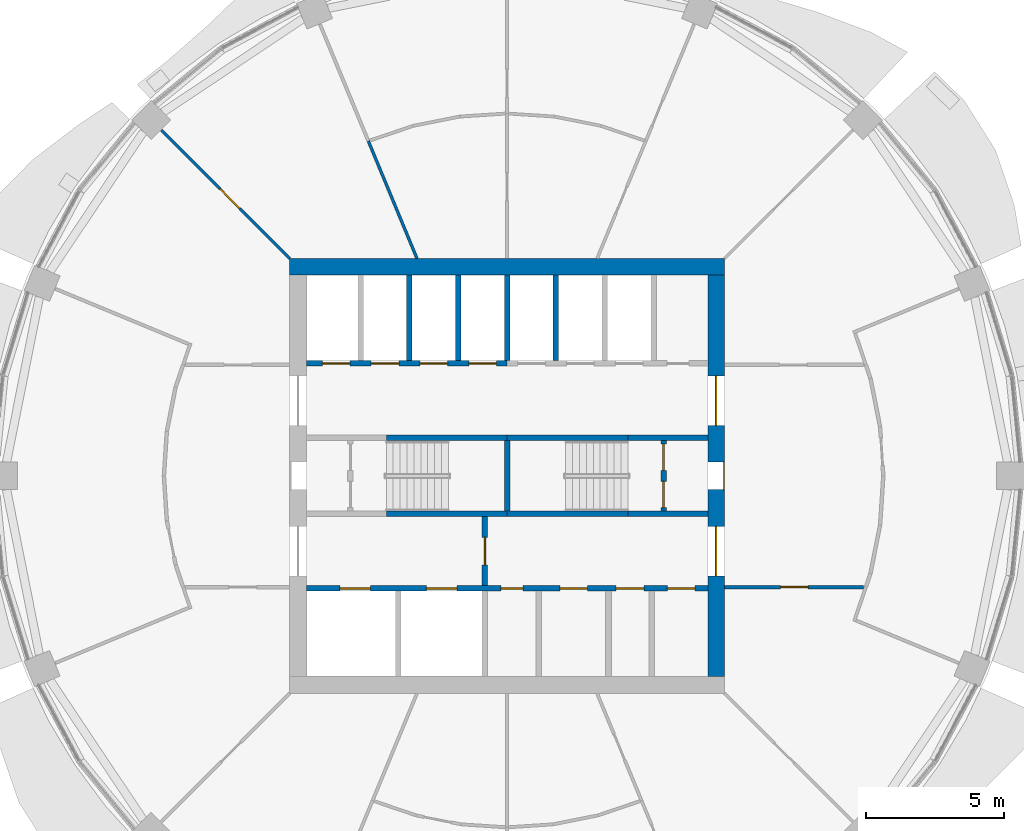
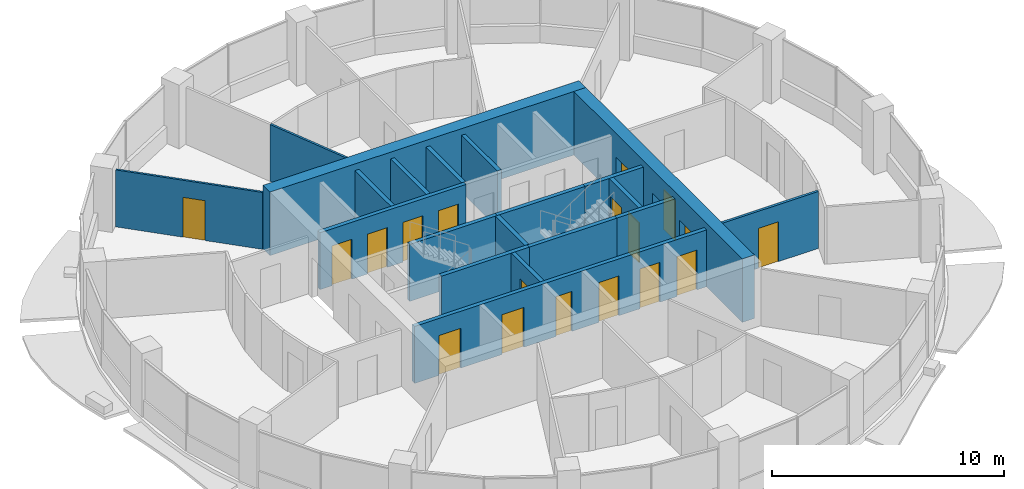
# One storey, part 9 of 15: 20 walls, 18 doors, 18 openings.
"""IFC4 building model written with IfcOpenShell, lengths in metres."""

import ifcopenshell
import ifcopenshell.guid

model = None  # the IFC model being written
_history = None  # IfcOwnerHistory: only IFC2X3 demands one
_inside = {}  # id of a spatial element -> (the spatial element, [elements in it])
_under = {}  # id of a project, library or spatial element -> (it, [spatial elements below it])
_declared = {}  # id of a project -> (the project, [libraries it declares])
_typed = {}  # id of a type object -> (the type object, [elements of that type])
_made_of = {}  # id of a material, layer set ... -> (it, [elements and type objects made of it])


def new_model(schema):
    """Start an empty IFC model of exactly this schema.

    Asked for "IFC4X3", IfcOpenShell would pick the latest addendum, in which some entities
    have other attributes; the version numbers below select the first issue.
    IFC2X3 requires an IfcOwnerHistory on every rooted entity: one is made here for all.
    """
    global model, _history
    if schema == "IFC4X3":
        model = ifcopenshell.file(schema_version=(4, 3, 0, 0))
    else:
        model = ifcopenshell.file(schema=schema)
    _inside.clear()
    _under.clear()
    _declared.clear()
    _typed.clear()
    _made_of.clear()
    _history = None
    if model.schema == "IFC2X3":
        org = make("IfcOrganization", Name="unknown")
        user = make(
            "IfcPersonAndOrganization",
            ThePerson=make("IfcPerson", FamilyName="unknown"),
            TheOrganization=org,
        )
        app = make(
            "IfcApplication",
            ApplicationDeveloper=org,
            Version="unknown",
            ApplicationFullName="unknown",
            ApplicationIdentifier="unknown",
        )
        _history = make(
            "IfcOwnerHistory",
            OwningUser=user,
            OwningApplication=app,
            ChangeAction="ADDED",
            CreationDate=0,
        )
    return model


def make(cls, **values):
    """One entity of the class cls with the attributes given. An attribute that is None is left unset."""
    return model.create_entity(
        cls, **{name: value for name, value in values.items() if value is not None}
    )


def rooted(cls, **values):
    """An entity with a GlobalId (a new one), such as an element, a storey or a relation."""
    return make(cls, GlobalId=ifcopenshell.guid.new(), OwnerHistory=_history, **values)


def si_unit(unit_type, name, prefix=None):
    """IfcSIUnit, for example si_unit("LENGTHUNIT", "METRE", prefix="MILLI")."""
    return make("IfcSIUnit", UnitType=unit_type, Prefix=prefix, Name=name)


def assignment(units):
    """IfcUnitAssignment: the units of a project."""
    return None if units is None else make("IfcUnitAssignment", Units=units)


def point(xyz):
    """IfcCartesianPoint."""
    return None if xyz is None else make("IfcCartesianPoint", Coordinates=xyz)


def direction(xyz):
    """IfcDirection."""
    return None if xyz is None else make("IfcDirection", DirectionRatios=xyz)


def frame(location, z_axis=None, x_axis=None):
    """IfcAxis2Placement3D, a coordinate frame: its origin and axes. An axis left out is left unset."""
    return make(
        "IfcAxis2Placement3D",
        Location=point(location),
        Axis=direction(z_axis),
        RefDirection=direction(x_axis),
    )


def frame_2d(location, x_axis=None):
    """IfcAxis2Placement2D, a coordinate frame in the plane: its origin and x axis."""
    return make(
        "IfcAxis2Placement2D", Location=point(location), RefDirection=direction(x_axis)
    )


def origin():
    """The frame at (0, 0, 0) with its axes left unset."""
    return frame((0.0, 0.0, 0.0))


def place(relative_to, where):
    """IfcLocalPlacement: puts the frame where relative to a parent placement (None: the world)."""
    return make(
        "IfcLocalPlacement", PlacementRelTo=relative_to, RelativePlacement=where
    )


def context(
    kind, dimensions, precision=None, world=None, true_north=None, identifier=None
):
    """IfcGeometricRepresentationContext, for example the 3D "Model" context."""
    return make(
        "IfcGeometricRepresentationContext",
        ContextIdentifier=identifier,
        ContextType=kind,
        CoordinateSpaceDimension=dimensions,
        Precision=precision,
        WorldCoordinateSystem=world,
        TrueNorth=true_north,
    )


def subcontext(parent, identifier, kind, view, scale=None):
    """IfcGeometricRepresentationSubContext, for example "Body" below "Model"."""
    return make(
        "IfcGeometricRepresentationSubContext",
        ContextIdentifier=identifier,
        ContextType=kind,
        ParentContext=parent,
        TargetScale=scale,
        TargetView=view,
    )


def project(units=None, contexts=None):
    """IfcProject with its units and contexts."""
    return rooted(
        "IfcProject",
        Name="project",
        RepresentationContexts=contexts,
        UnitsInContext=assignment(units),
    )


def spatial(cls, under=None, at=None, **own):
    """A site, building, storey or space (cls), placed at a placement, below another one or the project."""
    s = rooted(cls, ObjectPlacement=at, **own)
    if under is not None:
        _under.setdefault(under.id(), (under, []))[1].append(s)
    return s


def profile(cls, at=None, kind="AREA", **sizes):
    """A parametric profile (cls). Its sizes go by their IFC names, for example OverallWidth=200.0."""
    return make(cls, ProfileType=kind, Position=at, **sizes)


def rectangle(**sizes):
    """IfcRectangleProfileDef."""
    return profile("IfcRectangleProfileDef", **sizes)


def extrude(swept, where, along, depth):
    """IfcExtrudedAreaSolid: the profile swept, set in the frame where, extruded along a direction by depth."""
    return make(
        "IfcExtrudedAreaSolid",
        SweptArea=swept,
        Position=where,
        ExtrudedDirection=direction(along),
        Depth=depth,
    )


def shape(context_of_items, identifier, shape_type, items):
    """IfcShapeRepresentation: the items that make up one representation, for example the "Body"."""
    return make(
        "IfcShapeRepresentation",
        ContextOfItems=context_of_items,
        RepresentationIdentifier=identifier,
        RepresentationType=shape_type,
        Items=items,
    )


def material(Name=None, Category=None):
    """IfcMaterial."""
    return make("IfcMaterial", Name=Name, Category=Category)


def layer(
    of_material, thickness, ventilated=None, Name=None, Category=None, Priority=None
):
    """IfcMaterialLayer: one layer of a wall or slab, of a material (None: an air gap)."""
    return make(
        "IfcMaterialLayer",
        Material=of_material,
        LayerThickness=thickness,
        IsVentilated=ventilated,
        Name=Name,
        Category=Category,
        Priority=Priority,
    )


def layer_set(layers, Name=None):
    """IfcMaterialLayerSet."""
    return make("IfcMaterialLayerSet", MaterialLayers=layers, LayerSetName=Name)


def made_of(thing, what):
    """Note that an element or type object is made of a material, layer set ...; save() writes the relation."""
    if what is not None:
        _made_of.setdefault(what.id(), (what, []))[1].append(thing)
    return thing


def type_object(cls, material=None, **own):
    """A type object (cls), such as IfcWallType, which elements share."""
    return made_of(rooted(cls, **own), material)


def element(
    cls,
    number,
    at=None,
    inside=None,
    cuts=None,
    type_object=None,
    material=None,
    context=None,
    identifier="Body",
    shape_type=None,
    held_by="IfcProductDefinitionShape",
    body=None,
    shapes=None,
    **own,
):
    """One element of the class cls, such as IfcWall. Its Tag is "e" and its number.

    at: its placement. inside: the storey or other place that contains it. cuts: it is an
    opening in that element (IfcRelVoidsElement). A single representation is given by context,
    identifier, shape_type and body (its items); several are given by shapes. held_by: the class
    of the entity that holds the representations. save() writes the other relations.
    """
    e = rooted(cls, Tag="e%d" % number, ObjectPlacement=at, **own)
    if body is not None:
        shapes = [shape(context, identifier, shape_type, body)]
    if shapes is not None:
        e.Representation = make(held_by, Representations=shapes)
    if inside is not None:
        _inside.setdefault(inside.id(), (inside, []))[1].append(e)
    if cuts is not None:
        rooted(
            "IfcRelVoidsElement", RelatingBuildingElement=cuts, RelatedOpeningElement=e
        )
    if type_object is not None:
        _typed.setdefault(type_object.id(), (type_object, []))[1].append(e)
    return made_of(e, material)


def fill(opening, filler):
    """IfcRelFillsElement: the door or window that sits in an opening."""
    return rooted(
        "IfcRelFillsElement",
        RelatingOpeningElement=opening,
        RelatedBuildingElement=filler,
    )


def aggregate(whole, parts):
    """IfcRelAggregates: a whole, such as a stair, and the parts it consists of."""
    return rooted("IfcRelAggregates", RelatingObject=whole, RelatedObjects=parts)


def save(model, path):
    """Write the relations noted so far, then the file.

    IfcRelAggregates (storeys below a building ...), IfcRelContainedInSpatialStructure (elements
    in a storey), IfcRelDefinesByType, IfcRelAssociatesMaterial and IfcRelDeclares: one each for
    every whole, place, type object, material and project.
    """
    for whole, parts in _under.values():
        aggregate(whole, parts)
    for where, things in _inside.values():
        rooted(
            "IfcRelContainedInSpatialStructure",
            RelatedElements=things,
            RelatingStructure=where,
        )
    for kind, things in _typed.values():
        rooted("IfcRelDefinesByType", RelatedObjects=things, RelatingType=kind)
    for what, things in _made_of.values():
        rooted("IfcRelAssociatesMaterial", RelatedObjects=things, RelatingMaterial=what)
    for by, libraries in _declared.values():
        rooted("IfcRelDeclares", RelatingContext=by, RelatedDefinitions=libraries)
    model.write(path)


model = new_model("IFC4")

# Units and contexts
model_context = context("Model", 3, precision=1e-05, world=origin(), true_north=direction((0.0, 1.0)))
body_context = subcontext(model_context, "Body", "Model", "MODEL_VIEW")
ifc_project = project(units=[si_unit("LENGTHUNIT", "METRE"), si_unit("AREAUNIT", "SQUARE_METRE"), si_unit("VOLUMEUNIT", "CUBIC_METRE"), si_unit("PLANEANGLEUNIT", "RADIAN"), si_unit("MASSUNIT", "GRAM", prefix="KILO")], contexts=[model_context])

# Site, building, storey
site_placement = place(None, origin())
site = spatial("IfcSite", under=ifc_project, at=site_placement, CompositionType="ELEMENT")
building_placement = place(site_placement, origin())
building = spatial("IfcBuilding", under=site, at=building_placement, Name="Polderwave Tower", CompositionType="ELEMENT")
storey_placement = place(building_placement, frame((0.0, 0.0, 151.10009765625)))
storey = spatial("IfcBuildingStorey", under=building, at=storey_placement, Name="L40", CompositionType="ELEMENT", Elevation=151.10009765625)

# Wall
ifc_material_1 = material(Name="Concrete C60/75", Category="concrete")
ifc_layer_1 = layer(ifc_material_1, 0.60009765625)
ifc_layer_set_1 = layer_set([ifc_layer_1], Name="CORE WALL 600 C60/75")
wall_type_1 = type_object("IfcWallType", Name="CORE WALL 600 C60/75", PredefinedType="SHEAR", material=ifc_layer_set_1)
wall_1_placement = place(storey_placement, frame((-7.8740234375, 7.573974609375, 0.0), z_axis=(0.0, 0.0, 1.0), x_axis=(1.0, 0.0, 0.0)))
element("IfcWall", 1, at=wall_1_placement, inside=storey, type_object=wall_type_1, Name="ST-CORE-L40-N", PredefinedType="SHEAR", context=body_context, shape_type="SweptSolid", body=[
    extrude(rectangle(XDim=15.748046875, YDim=0.60009765625, at=frame_2d((7.8740234375, 0.0))), origin(), (0.0, 0.0, 1.0), 3.349853515625),
])

# Wall, openings, doors
wall_2_placement = place(storey_placement, frame((7.573974609375, -7.27392578125, 0.0), z_axis=(0.0, 0.0, 1.0), x_axis=(0.0, 1.0, 0.0)))
wall_2 = element("IfcWall", 2, at=wall_2_placement, inside=storey, type_object=wall_type_1, Name="ST-CORE-L40-E", PredefinedType="SHEAR", context=body_context, shape_type="SweptSolid", body=[
    extrude(rectangle(XDim=14.5478515625, YDim=0.60009765625, at=frame_2d((7.27392578125, 0.0))), origin(), (0.0, 0.0, 1.0), 3.349853515625),
])
opening_1_placement = place(wall_2_placement, frame((6.77392578125, 0.0, 0.0)))
opening_1 = element("IfcOpeningElement", 3, at=opening_1_placement, cuts=wall_2, Name="Opening L40-D23", PredefinedType="OPENING", context=body_context, shape_type="SweptSolid", body=[
    extrude(rectangle(XDim=1.0, YDim=2.10009765625, at=frame_2d((0.5, 1.050048828125))), frame((0.0, 0.31005859375, 0.0), z_axis=(0.0, -1.0, 0.0), x_axis=(1.0, 0.0, 0.0)), (0.0, 0.0, 1.0), 0.6201171875),
])
opening_2_placement = place(wall_2_placement, frame((3.6494140625, 0.0, 0.0)))
opening_2 = element("IfcOpeningElement", 4, at=opening_2_placement, cuts=wall_2, Name="Opening L40-D24", PredefinedType="OPENING", context=body_context, shape_type="SweptSolid", body=[
    extrude(rectangle(XDim=1.800048828125, YDim=2.10009765625, at=frame_2d((0.89990234375, 1.050048828125))), frame((0.0, 0.31005859375, 0.0), z_axis=(0.0, -1.0, 0.0), x_axis=(1.0, 0.0, 0.0)), (0.0, 0.0, 1.0), 0.6201171875),
])
opening_3_placement = place(wall_2_placement, frame((9.098388671875, 0.0, 0.0)))
opening_3 = element("IfcOpeningElement", 5, at=opening_3_placement, cuts=wall_2, Name="Opening L40-D25", PredefinedType="OPENING", context=body_context, shape_type="SweptSolid", body=[
    extrude(rectangle(XDim=1.800048828125, YDim=2.10009765625, at=frame_2d((0.89990234375, 1.050048828125))), frame((0.0, 0.31005859375, 0.0), z_axis=(0.0, -1.0, 0.0), x_axis=(1.0, 0.0, 0.0)), (0.0, 0.0, 1.0), 0.6201171875),
])
ifc_material_2 = material(Name="Steel fire door", Category="steel")
door_type_1 = type_object("IfcDoorType", Name="Lobby entry door pair 1800", OperationType="DOUBLE_DOOR_SINGLE_SWING", PredefinedType="DOOR", material=ifc_material_2)
door_1_placement = place(opening_2_placement, frame((1.800048828125, 0.0, 0.0), z_axis=(0.0, 0.0, 1.0), x_axis=(-1.0, 0.0, 0.0)))
door_1 = element("IfcDoor", 6, at=door_1_placement, inside=storey, type_object=door_type_1, Name="South lobby entry door", OperationType="DOUBLE_DOOR_SINGLE_SWING", OverallHeight=2.10009765625, OverallWidth=1.800048828125, PredefinedType="DOOR", context=body_context, shape_type="SweptSolid", body=[
    extrude(rectangle(XDim=1.800048828125, YDim=2.10009765625, at=frame_2d((0.89990234375, 1.050048828125))), frame((0.0, 0.02490234375, 0.0), z_axis=(0.0, -1.0, 0.0), x_axis=(1.0, 0.0, 0.0)), (0.0, 0.0, 1.0), 0.050048828125),
])
fill(opening_2, door_1)
door_2_placement = place(opening_3_placement, frame((1.800048828125, 0.0, 0.0), z_axis=(0.0, 0.0, 1.0), x_axis=(-1.0, 0.0, 0.0)))
door_2 = element("IfcDoor", 7, at=door_2_placement, inside=storey, type_object=door_type_1, Name="North lobby entry door", OperationType="DOUBLE_DOOR_SINGLE_SWING", OverallHeight=2.10009765625, OverallWidth=1.800048828125, PredefinedType="DOOR", context=body_context, shape_type="SweptSolid", body=[
    extrude(rectangle(XDim=1.800048828125, YDim=2.10009765625, at=frame_2d((0.89990234375, 1.050048828125))), frame((0.0, 0.02490234375, 0.0), z_axis=(0.0, -1.0, 0.0), x_axis=(1.0, 0.0, 0.0)), (0.0, 0.0, 1.0), 0.050048828125),
])
fill(opening_3, door_2)
door_type_2 = type_object("IfcDoorType", Name="Stair door 1000", OperationType="NOTDEFINED", PredefinedType="DOOR", material=ifc_material_2)
door_3_placement = place(opening_1_placement, frame((1.0, 0.0, 0.0), z_axis=(0.0, 0.0, 1.0), x_axis=(-1.0, 0.0, 0.0)))
door_3 = element("IfcDoor", 8, at=door_3_placement, inside=storey, type_object=door_type_2, Name="Stair B entry door", OperationType="SINGLE_SWING_LEFT", OverallHeight=2.10009765625, OverallWidth=1.0, PredefinedType="DOOR", context=body_context, shape_type="SweptSolid", body=[
    extrude(rectangle(XDim=1.0, YDim=2.10009765625, at=frame_2d((0.5, 1.050048828125))), frame((0.0, 0.2998046875, 0.0), z_axis=(0.0, -1.0, 0.0), x_axis=(1.0, 0.0, 0.0)), (0.0, 0.0, 1.0), 0.050048828125),
])
fill(opening_1, door_3)

# Wall, opening, door
ifc_material_3 = material(Name="Gypsum board partition")
ifc_layer_2 = layer(ifc_material_3, 0.199951171875)
ifc_layer_set_2 = layer_set([ifc_layer_2], Name="Core room partition 200")
wall_type_2 = type_object("IfcWallType", Name="Core room partition 200", PredefinedType="PARTITIONING", material=ifc_layer_set_2)
wall_3_placement = place(storey_placement, frame((-0.800048828125, -3.97412109375, 0.0), z_axis=(0.0, 0.0, 1.0), x_axis=(0.0, 1.0, 0.0)))
wall_3 = element("IfcWall", 9, at=wall_3_placement, inside=storey, type_object=wall_type_2, Name="L40 fire-fighting lobby wall", PredefinedType="PARTITIONING", context=body_context, shape_type="SweptSolid", body=[
    extrude(rectangle(XDim=2.4990234375, YDim=0.199951171875, at=frame_2d((1.24951171875, 0.0))), origin(), (0.0, 0.0, 1.0), 3.0),
])
opening_4_placement = place(wall_3_placement, frame((0.74951171875, 0.0, 0.0)))
opening_4 = element("IfcOpeningElement", 10, at=opening_4_placement, cuts=wall_3, Name="Opening L40-D14", PredefinedType="OPENING", context=body_context, shape_type="SweptSolid", body=[
    extrude(rectangle(XDim=1.0, YDim=2.10009765625, at=frame_2d((0.5, 1.050048828125))), frame((0.0, 0.10986328125, 0.0), z_axis=(0.0, -1.0, 0.0), x_axis=(1.0, 0.0, 0.0)), (0.0, 0.0, 1.0), 0.219970703125),
])
door_type_3 = type_object("IfcDoorType", Name="Lobby fire door 1000", OperationType="NOTDEFINED", PredefinedType="DOOR", material=ifc_material_2)
door_4_placement = place(opening_4_placement, frame((1.0, 0.0, 0.0), z_axis=(0.0, 0.0, 1.0), x_axis=(-1.0, 0.0, 0.0)))
door_4 = element("IfcDoor", 11, at=door_4_placement, inside=storey, type_object=door_type_3, Name="Fire-fighting lobby door", OperationType="SINGLE_SWING_LEFT", OverallHeight=2.10009765625, OverallWidth=1.0, PredefinedType="DOOR", context=body_context, shape_type="SweptSolid", body=[
    extrude(rectangle(XDim=1.0, YDim=2.10009765625, at=frame_2d((0.5, 1.050048828125))), frame((0.0, 0.02490234375, 0.0), z_axis=(0.0, -1.0, 0.0), x_axis=(1.0, 0.0, 0.0)), (0.0, 0.0, 1.0), 0.050048828125),
])
fill(opening_4, door_4)

# Wall, openings, doors
wall_4_placement = place(storey_placement, frame((5.674072265625, -1.27490234375, 0.0), z_axis=(0.0, 0.0, 1.0), x_axis=(0.0, 1.0, 0.0)))
wall_4 = element("IfcWall", 12, at=wall_4_placement, inside=storey, type_object=wall_type_2, Name="L40 smoke lobby wall B", PredefinedType="PARTITIONING", context=body_context, shape_type="SweptSolid", body=[
    extrude(rectangle(XDim=2.5498046875, YDim=0.199951171875, at=frame_2d((1.27490234375, 0.0))), origin(), (0.0, 0.0, 1.0), 3.0),
])
opening_5_placement = place(wall_4_placement, frame((0.125, 0.0, 0.0)))
opening_5 = element("IfcOpeningElement", 13, at=opening_5_placement, cuts=wall_4, Name="Opening L40-D12", PredefinedType="OPENING", context=body_context, shape_type="SweptSolid", body=[
    extrude(rectangle(XDim=0.949951171875, YDim=2.10009765625, at=frame_2d((0.47509765625, 1.050048828125))), frame((0.0, 0.10986328125, 0.0), z_axis=(0.0, -1.0, 0.0), x_axis=(1.0, 0.0, 0.0)), (0.0, 0.0, 1.0), 0.219970703125),
])
opening_6_placement = place(wall_4_placement, frame((1.47509765625, 0.0, 0.0)))
opening_6 = element("IfcOpeningElement", 14, at=opening_6_placement, cuts=wall_4, Name="Opening L40-D13", PredefinedType="OPENING", context=body_context, shape_type="SweptSolid", body=[
    extrude(rectangle(XDim=0.949951171875, YDim=2.10009765625, at=frame_2d((0.47509765625, 1.050048828125))), frame((0.0, 0.10986328125, 0.0), z_axis=(0.0, -1.0, 0.0), x_axis=(1.0, 0.0, 0.0)), (0.0, 0.0, 1.0), 0.219970703125),
])
door_type_4 = type_object("IfcDoorType", Name="Smoke lobby door 950", OperationType="NOTDEFINED", PredefinedType="DOOR", material=ifc_material_2)
door_5_placement = place(opening_5_placement, frame((0.949951171875, 0.0, 0.0), z_axis=(0.0, 0.0, 1.0), x_axis=(-1.0, 0.0, 0.0)))
door_5 = element("IfcDoor", 15, at=door_5_placement, inside=storey, type_object=door_type_4, Name="Stair B smoke lobby inner door", OperationType="SINGLE_SWING_RIGHT", OverallHeight=2.10009765625, OverallWidth=0.949951171875, PredefinedType="DOOR", context=body_context, shape_type="SweptSolid", body=[
    extrude(rectangle(XDim=0.949951171875, YDim=2.10009765625, at=frame_2d((0.47509765625, 1.050048828125))), frame((0.0, 0.02490234375, 0.0), z_axis=(0.0, -1.0, 0.0), x_axis=(1.0, 0.0, 0.0)), (0.0, 0.0, 1.0), 0.050048828125),
])
fill(opening_5, door_5)
door_6_placement = place(opening_6_placement, frame((0.949951171875, 0.0, 0.0), z_axis=(0.0, 0.0, 1.0), x_axis=(-1.0, 0.0, 0.0)))
door_6 = element("IfcDoor", 16, at=door_6_placement, inside=storey, type_object=door_type_4, Name="Stair B smoke lobby inner door", OperationType="SINGLE_SWING_LEFT", OverallHeight=2.10009765625, OverallWidth=0.949951171875, PredefinedType="DOOR", context=body_context, shape_type="SweptSolid", body=[
    extrude(rectangle(XDim=0.949951171875, YDim=2.10009765625, at=frame_2d((0.47509765625, 1.050048828125))), frame((0.0, 0.02490234375, 0.0), z_axis=(0.0, -1.0, 0.0), x_axis=(1.0, 0.0, 0.0)), (0.0, 0.0, 1.0), 0.050048828125),
])
fill(opening_6, door_6)

ifc_material_4 = material(Name="Concrete C50/60", Category="concrete")
ifc_layer_3 = layer(ifc_material_4, 0.199951171875)
ifc_layer_set_3 = layer_set([ifc_layer_3], Name="Core web wall 200")
wall_type_3 = type_object("IfcWallType", Name="Core web wall 200", PredefinedType="SHEAR", material=ifc_layer_set_3)
wall_5_placement = place(storey_placement, frame((-7.27392578125, -4.073974609375, 0.0), z_axis=(0.0, 0.0, 1.0), x_axis=(1.0, 0.0, 0.0)))
wall_5 = element("IfcWall", 17, at=wall_5_placement, inside=storey, type_object=wall_type_3, Name="L40 south front wall", PredefinedType="SHEAR", context=body_context, shape_type="SweptSolid", body=[
    extrude(rectangle(XDim=14.5478515625, YDim=0.199951171875, at=frame_2d((7.27392578125, 0.0))), origin(), (0.0, 0.0, 1.0), 3.0),
])
opening_7_placement = place(wall_5_placement, frame((1.218505859375, 0.0, 0.0)))
opening_7 = element("IfcOpeningElement", 18, at=opening_7_placement, cuts=wall_5, Name="Opening L40-D01", PredefinedType="OPENING", context=body_context, shape_type="SweptSolid", body=[
    extrude(rectangle(XDim=1.10009765625, YDim=2.10009765625, at=frame_2d((0.550048828125, 1.050048828125))), frame((0.0, 0.10986328125, 0.0), z_axis=(0.0, -1.0, 0.0), x_axis=(1.0, 0.0, 0.0)), (0.0, 0.0, 1.0), 0.219970703125),
])
opening_8_placement = place(wall_5_placement, frame((4.35546875, 0.0, 0.0)))
opening_8 = element("IfcOpeningElement", 19, at=opening_8_placement, cuts=wall_5, Name="Opening L40-D02", PredefinedType="OPENING", context=body_context, shape_type="SweptSolid", body=[
    extrude(rectangle(XDim=1.10009765625, YDim=2.10009765625, at=frame_2d((0.550048828125, 1.050048828125))), frame((0.0, 0.10986328125, 0.0), z_axis=(0.0, -1.0, 0.0), x_axis=(1.0, 0.0, 0.0)), (0.0, 0.0, 1.0), 0.219970703125),
])
opening_9_placement = place(wall_5_placement, frame((7.047119140625, 0.0, 0.0)))
opening_9 = element("IfcOpeningElement", 20, at=opening_9_placement, cuts=wall_5, Name="Opening L40-D15", PredefinedType="OPENING", context=body_context, shape_type="SweptSolid", body=[
    extrude(rectangle(XDim=0.800048828125, YDim=2.10009765625, at=frame_2d((0.39990234375, 1.050048828125))), frame((0.0, 0.10986328125, 0.0), z_axis=(0.0, -1.0, 0.0), x_axis=(1.0, 0.0, 0.0)), (0.0, 0.0, 1.0), 0.219970703125),
])
opening_10_placement = place(wall_5_placement, frame((9.184814453125, 0.0, 0.0)))
opening_10 = element("IfcOpeningElement", 21, at=opening_10_placement, cuts=wall_5, Name="Opening L40-D16", PredefinedType="OPENING", context=body_context, shape_type="SweptSolid", body=[
    extrude(rectangle(XDim=1.0, YDim=2.10009765625, at=frame_2d((0.5, 1.050048828125))), frame((0.0, 0.10986328125, 0.0), z_axis=(0.0, -1.0, 0.0), x_axis=(1.0, 0.0, 0.0)), (0.0, 0.0, 1.0), 0.219970703125),
])
opening_11_placement = place(wall_5_placement, frame((11.228271484375, 0.0, 0.0)))
opening_11 = element("IfcOpeningElement", 22, at=opening_11_placement, cuts=wall_5, Name="Opening L40-D17", PredefinedType="OPENING", context=body_context, shape_type="SweptSolid", body=[
    extrude(rectangle(XDim=1.0, YDim=2.10009765625, at=frame_2d((0.5, 1.050048828125))), frame((0.0, 0.10986328125, 0.0), z_axis=(0.0, -1.0, 0.0), x_axis=(1.0, 0.0, 0.0)), (0.0, 0.0, 1.0), 0.219970703125),
])
opening_12_placement = place(wall_5_placement, frame((13.07763671875, 0.0, 0.0)))
opening_12 = element("IfcOpeningElement", 23, at=opening_12_placement, cuts=wall_5, Name="Opening L40-D18", PredefinedType="OPENING", context=body_context, shape_type="SweptSolid", body=[
    extrude(rectangle(XDim=1.0, YDim=2.10009765625, at=frame_2d((0.5, 1.050048828125))), frame((0.0, 0.10986328125, 0.0), z_axis=(0.0, -1.0, 0.0), x_axis=(1.0, 0.0, 0.0)), (0.0, 0.0, 1.0), 0.219970703125),
])
ifc_material_5 = material(Name="Stainless steel", Category="steel")
door_type_5 = type_object("IfcDoorType", Name="Fire-fighting lift landing door 1100", OperationType="DOUBLE_DOOR_SLIDING", PredefinedType="DOOR", material=ifc_material_5)
door_7_placement = place(opening_7_placement, origin())
door_7 = element("IfcDoor", 24, at=door_7_placement, inside=storey, type_object=door_type_5, Name="Fire-fighting lift FF1 landing door", OperationType="DOUBLE_DOOR_SLIDING", OverallHeight=2.10009765625, OverallWidth=1.10009765625, PredefinedType="DOOR", context=body_context, shape_type="SweptSolid", body=[
    extrude(rectangle(XDim=1.10009765625, YDim=2.10009765625, at=frame_2d((0.550048828125, 1.050048828125))), frame((0.0, 0.02490234375, 0.0), z_axis=(0.0, -1.0, 0.0), x_axis=(1.0, 0.0, 0.0)), (0.0, 0.0, 1.0), 0.050048828125),
])
fill(opening_7, door_7)
door_8_placement = place(opening_8_placement, origin())
door_8 = element("IfcDoor", 25, at=door_8_placement, inside=storey, type_object=door_type_5, Name="Fire-fighting lift FF2 landing door", OperationType="DOUBLE_DOOR_SLIDING", OverallHeight=2.10009765625, OverallWidth=1.10009765625, PredefinedType="DOOR", context=body_context, shape_type="SweptSolid", body=[
    extrude(rectangle(XDim=1.10009765625, YDim=2.10009765625, at=frame_2d((0.550048828125, 1.050048828125))), frame((0.0, 0.02490234375, 0.0), z_axis=(0.0, -1.0, 0.0), x_axis=(1.0, 0.0, 0.0)), (0.0, 0.0, 1.0), 0.050048828125),
])
fill(opening_8, door_8)
door_type_6 = type_object("IfcDoorType", Name="Riser door 800", OperationType="NOTDEFINED", PredefinedType="DOOR", material=ifc_material_2)
door_9_placement = place(opening_9_placement, origin())
door_9 = element("IfcDoor", 26, at=door_9_placement, inside=storey, type_object=door_type_6, Name="Communications room door", OperationType="SINGLE_SWING_RIGHT", OverallHeight=2.10009765625, OverallWidth=0.800048828125, PredefinedType="DOOR", context=body_context, shape_type="SweptSolid", body=[
    extrude(rectangle(XDim=0.800048828125, YDim=2.10009765625, at=frame_2d((0.39990234375, 1.050048828125))), frame((0.0, 0.02490234375, 0.0), z_axis=(0.0, -1.0, 0.0), x_axis=(1.0, 0.0, 0.0)), (0.0, 0.0, 1.0), 0.050048828125),
])
fill(opening_9, door_9)
ifc_material_6 = material(Name="Timber door leaf", Category="wood")
door_type_7 = type_object("IfcDoorType", Name="Room door 1000", OperationType="NOTDEFINED", PredefinedType="DOOR", material=ifc_material_6)
door_10_placement = place(opening_10_placement, frame((1.0, 0.0, 0.0), z_axis=(0.0, 0.0, 1.0), x_axis=(-1.0, 0.0, 0.0)))
door_10 = element("IfcDoor", 27, at=door_10_placement, inside=storey, type_object=door_type_7, Name="Store door", OperationType="SINGLE_SWING_LEFT", OverallHeight=2.10009765625, OverallWidth=1.0, PredefinedType="DOOR", context=body_context, shape_type="SweptSolid", body=[
    extrude(rectangle(XDim=1.0, YDim=2.10009765625, at=frame_2d((0.5, 1.050048828125))), frame((0.0, 0.02490234375, 0.0), z_axis=(0.0, -1.0, 0.0), x_axis=(1.0, 0.0, 0.0)), (0.0, 0.0, 1.0), 0.050048828125),
])
fill(opening_10, door_10)
door_11_placement = place(opening_11_placement, frame((1.0, 0.0, 0.0), z_axis=(0.0, 0.0, 1.0), x_axis=(-1.0, 0.0, 0.0)))
door_11 = element("IfcDoor", 28, at=door_11_placement, inside=storey, type_object=door_type_7, Name="Staff WC door", OperationType="SINGLE_SWING_LEFT", OverallHeight=2.10009765625, OverallWidth=1.0, PredefinedType="DOOR", context=body_context, shape_type="SweptSolid", body=[
    extrude(rectangle(XDim=1.0, YDim=2.10009765625, at=frame_2d((0.5, 1.050048828125))), frame((0.0, 0.02490234375, 0.0), z_axis=(0.0, -1.0, 0.0), x_axis=(1.0, 0.0, 0.0)), (0.0, 0.0, 1.0), 0.050048828125),
])
fill(opening_11, door_11)
door_12_placement = place(opening_12_placement, frame((1.0, 0.0, 0.0), z_axis=(0.0, 0.0, 1.0), x_axis=(-1.0, 0.0, 0.0)))
door_12 = element("IfcDoor", 29, at=door_12_placement, inside=storey, type_object=door_type_7, Name="Housekeeping store door", OperationType="SINGLE_SWING_LEFT", OverallHeight=2.10009765625, OverallWidth=1.0, PredefinedType="DOOR", context=body_context, shape_type="SweptSolid", body=[
    extrude(rectangle(XDim=1.0, YDim=2.10009765625, at=frame_2d((0.5, 1.050048828125))), frame((0.0, 0.02490234375, 0.0), z_axis=(0.0, -1.0, 0.0), x_axis=(1.0, 0.0, 0.0)), (0.0, 0.0, 1.0), 0.050048828125),
])
fill(opening_12, door_12)

wall_6_placement = place(storey_placement, frame((-7.27392578125, 4.073974609375, 0.0), z_axis=(0.0, 0.0, 1.0), x_axis=(1.0, 0.0, 0.0)))
wall_6 = element("IfcWall", 30, at=wall_6_placement, inside=storey, type_object=wall_type_3, Name="L40 north front wall 1", PredefinedType="SHEAR", context=body_context, shape_type="SweptSolid", body=[
    extrude(rectangle(XDim=7.27392578125, YDim=0.199951171875, at=frame_2d((3.636962890625, 0.0))), origin(), (0.0, 0.0, 1.0), 3.0),
])
opening_13_placement = place(wall_6_placement, frame((0.584228515625, 0.0, 0.0)))
opening_13 = element("IfcOpeningElement", 31, at=opening_13_placement, cuts=wall_6, Name="Opening L40-D03", PredefinedType="OPENING", context=body_context, shape_type="SweptSolid", body=[
    extrude(rectangle(XDim=1.0, YDim=2.10009765625, at=frame_2d((0.5, 1.050048828125))), frame((0.0, 0.10986328125, 0.0), z_axis=(0.0, -1.0, 0.0), x_axis=(1.0, 0.0, 0.0)), (0.0, 0.0, 1.0), 0.219970703125),
])
opening_14_placement = place(wall_6_placement, frame((2.352783203125, 0.0, 0.0)))
opening_14 = element("IfcOpeningElement", 32, at=opening_14_placement, cuts=wall_6, Name="Opening L40-D04", PredefinedType="OPENING", context=body_context, shape_type="SweptSolid", body=[
    extrude(rectangle(XDim=1.0, YDim=2.10009765625, at=frame_2d((0.5, 1.050048828125))), frame((0.0, 0.10986328125, 0.0), z_axis=(0.0, -1.0, 0.0), x_axis=(1.0, 0.0, 0.0)), (0.0, 0.0, 1.0), 0.219970703125),
])
opening_15_placement = place(wall_6_placement, frame((4.12109375, 0.0, 0.0)))
opening_15 = element("IfcOpeningElement", 33, at=opening_15_placement, cuts=wall_6, Name="Opening L40-D05", PredefinedType="OPENING", context=body_context, shape_type="SweptSolid", body=[
    extrude(rectangle(XDim=1.0, YDim=2.10009765625, at=frame_2d((0.5, 1.050048828125))), frame((0.0, 0.10986328125, 0.0), z_axis=(0.0, -1.0, 0.0), x_axis=(1.0, 0.0, 0.0)), (0.0, 0.0, 1.0), 0.219970703125),
])
opening_16_placement = place(wall_6_placement, frame((5.889892578125, 0.0, 0.0)))
opening_16 = element("IfcOpeningElement", 34, at=opening_16_placement, cuts=wall_6, Name="Opening L40-D06", PredefinedType="OPENING", context=body_context, shape_type="SweptSolid", body=[
    extrude(rectangle(XDim=1.0, YDim=2.10009765625, at=frame_2d((0.5, 1.050048828125))), frame((0.0, 0.10986328125, 0.0), z_axis=(0.0, -1.0, 0.0), x_axis=(1.0, 0.0, 0.0)), (0.0, 0.0, 1.0), 0.219970703125),
])
door_type_8 = type_object("IfcDoorType", Name="Lift landing door 1000", OperationType="DOUBLE_DOOR_SLIDING", PredefinedType="DOOR", material=ifc_material_5)
door_13_placement = place(opening_13_placement, frame((1.0, 0.0, 0.0), z_axis=(0.0, 0.0, 1.0), x_axis=(-1.0, 0.0, 0.0)))
door_13 = element("IfcDoor", 35, at=door_13_placement, inside=storey, type_object=door_type_8, Name="Lift HL1 landing door", OperationType="DOUBLE_DOOR_SLIDING", OverallHeight=2.10009765625, OverallWidth=1.0, PredefinedType="DOOR", context=body_context, shape_type="SweptSolid", body=[
    extrude(rectangle(XDim=1.0, YDim=2.10009765625, at=frame_2d((0.5, 1.050048828125))), frame((0.0, 0.02490234375, 0.0), z_axis=(0.0, -1.0, 0.0), x_axis=(1.0, 0.0, 0.0)), (0.0, 0.0, 1.0), 0.050048828125),
])
fill(opening_13, door_13)
door_14_placement = place(opening_14_placement, frame((1.0, 0.0, 0.0), z_axis=(0.0, 0.0, 1.0), x_axis=(-1.0, 0.0, 0.0)))
door_14 = element("IfcDoor", 36, at=door_14_placement, inside=storey, type_object=door_type_8, Name="Lift HL2 landing door", OperationType="DOUBLE_DOOR_SLIDING", OverallHeight=2.10009765625, OverallWidth=1.0, PredefinedType="DOOR", context=body_context, shape_type="SweptSolid", body=[
    extrude(rectangle(XDim=1.0, YDim=2.10009765625, at=frame_2d((0.5, 1.050048828125))), frame((0.0, 0.02490234375, 0.0), z_axis=(0.0, -1.0, 0.0), x_axis=(1.0, 0.0, 0.0)), (0.0, 0.0, 1.0), 0.050048828125),
])
fill(opening_14, door_14)
door_15_placement = place(opening_15_placement, frame((1.0, 0.0, 0.0), z_axis=(0.0, 0.0, 1.0), x_axis=(-1.0, 0.0, 0.0)))
door_15 = element("IfcDoor", 37, at=door_15_placement, inside=storey, type_object=door_type_8, Name="Lift HL3 landing door", OperationType="DOUBLE_DOOR_SLIDING", OverallHeight=2.10009765625, OverallWidth=1.0, PredefinedType="DOOR", context=body_context, shape_type="SweptSolid", body=[
    extrude(rectangle(XDim=1.0, YDim=2.10009765625, at=frame_2d((0.5, 1.050048828125))), frame((0.0, 0.02490234375, 0.0), z_axis=(0.0, -1.0, 0.0), x_axis=(1.0, 0.0, 0.0)), (0.0, 0.0, 1.0), 0.050048828125),
])
fill(opening_15, door_15)
door_16_placement = place(opening_16_placement, frame((1.0, 0.0, 0.0), z_axis=(0.0, 0.0, 1.0), x_axis=(-1.0, 0.0, 0.0)))
door_16 = element("IfcDoor", 38, at=door_16_placement, inside=storey, type_object=door_type_8, Name="Lift HL4 landing door", OperationType="DOUBLE_DOOR_SLIDING", OverallHeight=2.10009765625, OverallWidth=1.0, PredefinedType="DOOR", context=body_context, shape_type="SweptSolid", body=[
    extrude(rectangle(XDim=1.0, YDim=2.10009765625, at=frame_2d((0.5, 1.050048828125))), frame((0.0, 0.02490234375, 0.0), z_axis=(0.0, -1.0, 0.0), x_axis=(1.0, 0.0, 0.0)), (0.0, 0.0, 1.0), 0.050048828125),
])
fill(opening_16, door_16)

# Walls
for number, where, z_axis, x_axis, name in (
    (39, (-4.3740234375, -1.375, 0.0), (0.0, 0.0, 1.0), (1.0, 0.0, 0.0), "L40 south stair wall 2"),
    (40, (0.0, -1.375, 0.0), (0.0, 0.0, 1.0), (1.0, 0.0, 0.0), "L40 south stair wall 3"),
):
    element("IfcWall", number, at=place(storey_placement, frame(where, z_axis=z_axis, x_axis=x_axis)), inside=storey, type_object=wall_type_3, Name=name, PredefinedType="SHEAR", context=body_context, shape_type="SweptSolid", body=[
        extrude(rectangle(XDim=4.3740234375, YDim=0.199951171875, at=frame_2d((2.18701171875, 0.0))), origin(), (0.0, 0.0, 1.0), 3.0),
    ])
wall_7_placement = place(storey_placement, frame((4.3740234375, -1.375, 0.0), z_axis=(0.0, 0.0, 1.0), x_axis=(1.0, 0.0, 0.0)))
element("IfcWall", 41, at=wall_7_placement, inside=storey, type_object=wall_type_3, Name="L40 south stair wall 4", PredefinedType="SHEAR", context=body_context, shape_type="SweptSolid", body=[
    extrude(rectangle(XDim=2.89990234375, YDim=0.199951171875, at=frame_2d((1.449951171875, 0.0))), origin(), (0.0, 0.0, 1.0), 3.0),
])
for number, where, z_axis, x_axis, name in (
    (42, (-4.3740234375, 1.375, 0.0), (0.0, 0.0, 1.0), (1.0, 0.0, 0.0), "L40 north stair wall 2"),
    (43, (0.0, 1.375, 0.0), (0.0, 0.0, 1.0), (1.0, 0.0, 0.0), "L40 north stair wall 3"),
):
    element("IfcWall", number, at=place(storey_placement, frame(where, z_axis=z_axis, x_axis=x_axis)), inside=storey, type_object=wall_type_3, Name=name, PredefinedType="SHEAR", context=body_context, shape_type="SweptSolid", body=[
        extrude(rectangle(XDim=4.3740234375, YDim=0.199951171875, at=frame_2d((2.18701171875, 0.0))), origin(), (0.0, 0.0, 1.0), 3.0),
    ])
wall_8_placement = place(storey_placement, frame((4.3740234375, 1.375, 0.0), z_axis=(0.0, 0.0, 1.0), x_axis=(1.0, 0.0, 0.0)))
element("IfcWall", 44, at=wall_8_placement, inside=storey, type_object=wall_type_3, Name="L40 north stair wall 4", PredefinedType="SHEAR", context=body_context, shape_type="SweptSolid", body=[
    extrude(rectangle(XDim=2.89990234375, YDim=0.199951171875, at=frame_2d((1.449951171875, 0.0))), origin(), (0.0, 0.0, 1.0), 3.0),
])
wall_9_placement = place(storey_placement, frame((0.0, -1.27490234375, 0.0), z_axis=(0.0, 0.0, 1.0), x_axis=(0.0, 1.0, 0.0)))
element("IfcWall", 45, at=wall_9_placement, inside=storey, type_object=wall_type_3, Name="L40 wall between the stairs", PredefinedType="SHEAR", context=body_context, shape_type="SweptSolid", body=[
    extrude(rectangle(XDim=2.5498046875, YDim=0.199951171875, at=frame_2d((1.27490234375, 0.0))), origin(), (0.0, 0.0, 1.0), 3.0),
])

# Wall, opening, door
ifc_material_7 = material(Name="Fire-resisting board on steel studs", Category="steel")
ifc_layer_4 = layer(ifc_material_7, 0.125)
ifc_layer_set_4 = layer_set([ifc_layer_4], Name="Corridor wall 125 mm EI 60")
wall_type_4 = type_object("IfcWallType", Name="Corridor wall 125 mm EI 60", PredefinedType="PARTITIONING", material=ifc_layer_set_4)
wall_10_placement = place(storey_placement, frame((12.90966796875, -4.0244140625, 0.0), z_axis=(0.0, 0.0, 1.0), x_axis=(-1.0, 0.0, 0.0)))
wall_10 = element("IfcWall", 46, at=wall_10_placement, inside=storey, type_object=wall_type_4, Name="IN-L40-W008", PredefinedType="PARTITIONING", context=body_context, shape_type="SweptSolid", body=[
    extrude(rectangle(XDim=5.03564453125, YDim=0.125, at=frame_2d((2.517822265625, 0.0))), origin(), (0.0, 0.0, 1.0), 3.0),
])
opening_17_placement = place(wall_10_placement, frame((2.0, 0.0, 0.0)))
opening_17 = element("IfcOpeningElement", 47, at=opening_17_placement, cuts=wall_10, Name="Opening L40-D52", PredefinedType="OPENING", context=body_context, shape_type="SweptSolid", body=[
    extrude(rectangle(XDim=1.0, YDim=2.10009765625, at=frame_2d((0.5, 1.050048828125))), frame((0.0, 0.072509765625, 0.0), z_axis=(0.0, -1.0, 0.0), x_axis=(1.0, 0.0, 0.0)), (0.0, 0.0, 1.0), 0.14501953125),
])
ifc_material_8 = material(Name="Timber fire door leaf", Category="wood")
door_type_9 = type_object("IfcDoorType", Name="Fire door FD30S 1000 x 2100", OperationType="NOTDEFINED", PredefinedType="DOOR", material=ifc_material_8)
door_17_placement = place(opening_17_placement, origin())
door_17 = element("IfcDoor", 48, at=door_17_placement, inside=storey, type_object=door_type_9, Name="Door L40-D52", OperationType="SINGLE_SWING_LEFT", OverallHeight=2.10009765625, OverallWidth=1.0, PredefinedType="DOOR", context=body_context, shape_type="SweptSolid", body=[
    extrude(rectangle(XDim=1.0, YDim=2.10009765625, at=frame_2d((0.5, 1.050048828125))), frame((0.0, 0.02490234375, 0.0), z_axis=(0.0, -1.0, 0.0), x_axis=(1.0, 0.0, 0.0)), (0.0, 0.0, 1.0), 0.050048828125),
])
fill(opening_17, door_17)

ifc_material_9 = material(Name="Plasterboard on steel studs", Category="steel")
ifc_layer_5 = layer(ifc_material_9, 0.10009765625)
ifc_layer_set_5 = layer_set([ifc_layer_5], Name="Partition 100 mm plasterboard on steel studs")
wall_type_5 = type_object("IfcWallType", Name="Partition 100 mm plasterboard on steel studs", PredefinedType="PARTITIONING", material=ifc_layer_set_5)
wall_11_placement = place(storey_placement, frame((-12.515869140625, 12.515869140625, 0.0), z_axis=(0.0, 0.0, 1.0), x_axis=(0.707106781187, -0.707106781187, 0.0)))
wall_11 = element("IfcWall", 49, at=wall_11_placement, inside=storey, type_object=wall_type_5, Name="IN-L40-W034", PredefinedType="PARTITIONING", context=body_context, shape_type="SweptSolid", body=[
    extrude(rectangle(XDim=6.564453125, YDim=0.10009765625, at=frame_2d((3.2822265625, 0.0))), origin(), (0.0, 0.0, 1.0), 3.0),
])
opening_18_placement = place(wall_11_placement, frame((3.0, 0.0, 0.0)))
opening_18 = element("IfcOpeningElement", 50, at=opening_18_placement, cuts=wall_11, Name="Opening L40-D61", PredefinedType="OPENING", context=body_context, shape_type="SweptSolid", body=[
    extrude(rectangle(XDim=1.0, YDim=2.10009765625, at=frame_2d((0.5, 1.050048828125))), frame((0.0, 0.06005859375, 0.0), z_axis=(0.0, -1.0, 0.0), x_axis=(1.0, 0.0, 0.0)), (0.0, 0.0, 1.0), 0.1201171875),
])
ifc_material_10 = material(Name="Timber veneer door leaf", Category="wood")
door_type_10 = type_object("IfcDoorType", Name="Single door 1000 x 2100", OperationType="NOTDEFINED", PredefinedType="DOOR", material=ifc_material_10)
door_18_placement = place(opening_18_placement, origin())
door_18 = element("IfcDoor", 51, at=door_18_placement, inside=storey, type_object=door_type_10, Name="Door L40-D61", OperationType="SINGLE_SWING_RIGHT", OverallHeight=2.10009765625, OverallWidth=1.0, PredefinedType="DOOR", context=body_context, shape_type="SweptSolid", body=[
    extrude(rectangle(XDim=1.0, YDim=2.10009765625, at=frame_2d((0.5, 1.050048828125))), frame((0.0, 0.02490234375, 0.0), z_axis=(0.0, -1.0, 0.0), x_axis=(1.0, 0.0, 0.0)), (0.0, 0.0, 1.0), 0.050048828125),
])
fill(opening_18, door_18)

# Walls
ifc_material_11 = material(Name="Moisture-resistant board on steel studs, tiled", Category="steel")
ifc_layer_6 = layer(ifc_material_11, 0.10498046875)
ifc_layer_set_6 = layer_set([ifc_layer_6], Name="Partition 105 mm wet room board and tile")
wall_type_6 = type_object("IfcWallType", Name="Partition 105 mm wet room board and tile", PredefinedType="PARTITIONING", material=ifc_layer_set_6)
wall_12_placement = place(storey_placement, frame((-3.261474609375, 7.8740234375, 0.0), z_axis=(0.0, 0.0, 1.0), x_axis=(-0.382691869474, 0.923876037701, 0.0)))
element("IfcWall", 52, at=wall_12_placement, inside=storey, type_object=wall_type_6, Name="IN-L40-W032", PredefinedType="PARTITIONING", context=body_context, shape_type="SweptSolid", body=[
    extrude(rectangle(XDim=4.607421875, YDim=0.10498046875, at=frame_2d((2.3037109375, 0.0))), origin(), (0.0, 0.0, 1.0), 3.0),
])
ifc_material_12 = material(Name="Gypsum shaft wall system")
ifc_layer_7 = layer(ifc_material_12, 0.199951171875)
ifc_layer_set_7 = layer_set([ifc_layer_7], Name="Shaft wall 200")
wall_type_7 = type_object("IfcWallType", Name="Shaft wall 200", PredefinedType="PARTITIONING", material=ifc_layer_set_7)
for number, where, z_axis, x_axis, name in (
    (53, (-3.537109375, 4.174072265625, 0.0), (0.0, 0.0, 1.0), (0.0, 1.0, 0.0), "L40 lift shaft wall N2"),
    (54, (-1.7685546875, 4.174072265625, 0.0), (0.0, 0.0, 1.0), (0.0, 1.0, 0.0), "L40 lift shaft wall N3"),
    (55, (0.0, 4.174072265625, 0.0), (0.0, 0.0, 1.0), (0.0, 1.0, 0.0), "L40 lift shaft wall N4"),
    (56, (1.7685546875, 4.174072265625, 0.0), (0.0, 0.0, 1.0), (0.0, 1.0, 0.0), "L40 lift shaft wall N5"),
):
    element("IfcWall", number, at=place(storey_placement, frame(where, z_axis=z_axis, x_axis=x_axis)), inside=storey, type_object=wall_type_7, Name=name, PredefinedType="PARTITIONING", context=body_context, shape_type="SweptSolid", body=[
        extrude(rectangle(XDim=3.099853515625, YDim=0.199951171875, at=frame_2d((1.5498046875, 0.0))), origin(), (0.0, 0.0, 1.0), 3.0),
    ])

save(model, "model.ifc")
